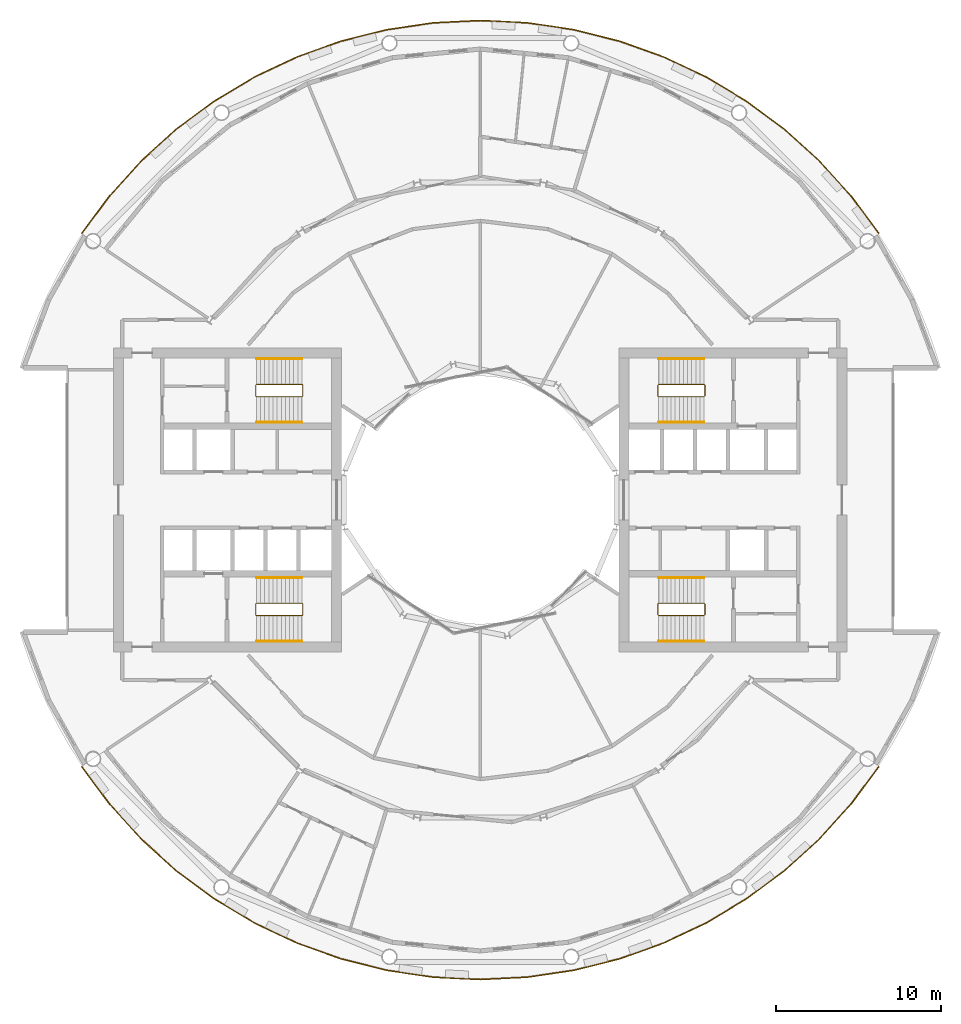
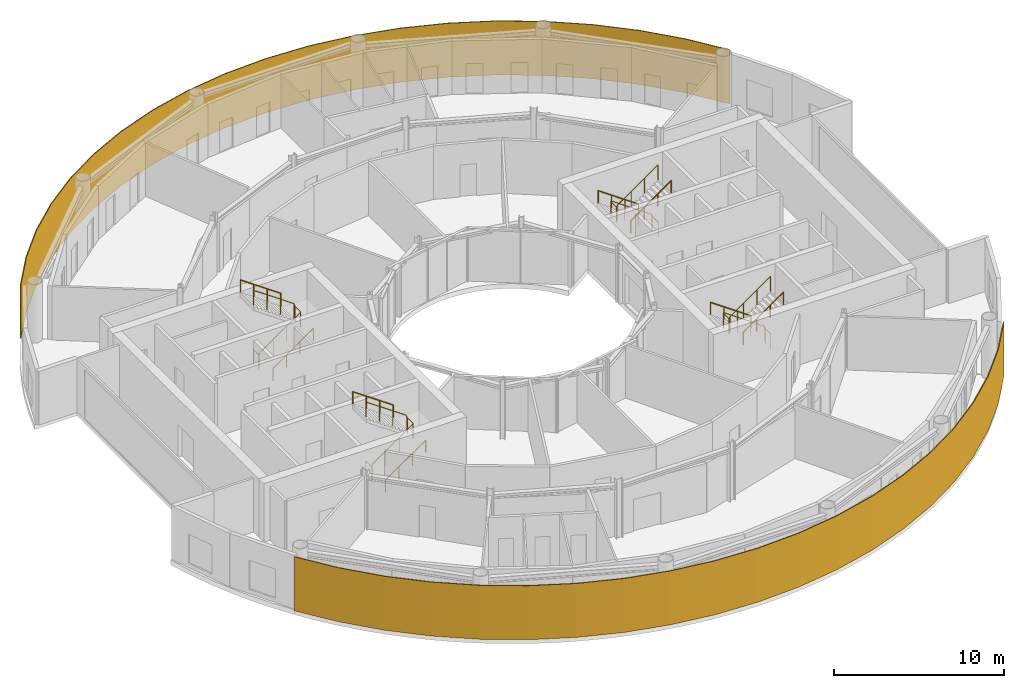
# One storey, part 21 of 21: 14 railings.
"""IFC4 building model written with IfcOpenShell, lengths in metres."""

from ifc_helpers import new_model, si_unit, direction, frame, origin, origin_2d, place, context, subcontext, project, spatial, polyline, circle, outline, extrude, material, layer, layer_set, type_object, element, save


model = new_model("IFC4")

# Units and contexts
model_context = context("Model", 3, precision=1e-05, world=origin(), true_north=direction((0.0, 1.0)))
body_context = subcontext(model_context, "Body", "Model", "MODEL_VIEW")
ifc_project = project(units=[si_unit("LENGTHUNIT", "METRE"), si_unit("AREAUNIT", "SQUARE_METRE"), si_unit("VOLUMEUNIT", "CUBIC_METRE"), si_unit("PLANEANGLEUNIT", "RADIAN"), si_unit("MASSUNIT", "GRAM", prefix="KILO")], contexts=[model_context])

# Site, building, storey
site_placement = place(None, origin())
site = spatial("IfcSite", under=ifc_project, at=site_placement, CompositionType="ELEMENT")
building_placement = place(site_placement, origin())
building = spatial("IfcBuilding", under=site, at=building_placement, Name="Maasbend Ring Residences", CompositionType="ELEMENT")
storey_placement = place(building_placement, frame((0.0, 0.0, 107.449951171875)))
storey = spatial("IfcBuildingStorey", under=building, at=storey_placement, Name="L30", CompositionType="ELEMENT", Elevation=107.449951171875)

# Railings
ifc_material_1 = material(Name="Pale anodised perforated aluminium", Category="aluminium")
ifc_layer = layer(ifc_material_1, 0.06005859375)
ifc_layer_set = layer_set([ifc_layer], Name="SCREEN-P")
railing_type_1 = type_object("IfcRailingType", Name="SCREEN-P", PredefinedType="GUARDRAIL", material=ifc_layer_set)
railing_1_placement = place(storey_placement, frame((0.0, 0.0, -0.030029296875)))
element("IfcRailing", 1, at=railing_1_placement, inside=storey, type_object=railing_type_1, Name="Perforated screen guard 1", PredefinedType="GUARDRAIL", context=body_context, shape_type="SweptSolid", body=[
    extrude(outline(polyline([(24.113037109375, 16.112060546875), (22.4169921875, 18.39697265625), (20.506103515625, 20.506103515625), (18.39697265625, 22.4169921875), (16.112060546875, 24.113037109375), (13.6708984375, 25.575927734375), (11.097900390625, 26.79296875), (8.41796875, 27.7509765625), (5.657958984375, 28.443115234375), (2.842041015625, 28.860107421875), (0.0, 29.0), (-2.842041015625, 28.860107421875), (-5.657958984375, 28.443115234375), (-8.41796875, 27.7509765625), (-11.097900390625, 26.79296875), (-13.6708984375, 25.575927734375), (-16.112060546875, 24.113037109375), (-18.39697265625, 22.4169921875), (-20.506103515625, 20.506103515625), (-22.4169921875, 18.39697265625), (-24.113037109375, 16.112060546875), (-24.1630859375, 16.14501953125), (-22.464111328125, 18.43505859375), (-20.549072265625, 20.549072265625), (-18.43505859375, 22.464111328125), (-16.14501953125, 24.1630859375), (-13.698974609375, 25.62890625), (-11.12109375, 26.847900390625), (-8.43603515625, 27.80908203125), (-5.6689453125, 28.501953125), (-2.847900390625, 28.919921875), (0.0, 29.06005859375), (2.847900390625, 28.919921875), (5.6689453125, 28.501953125), (8.43603515625, 27.80908203125), (11.12109375, 26.847900390625), (13.698974609375, 25.62890625), (16.14501953125, 24.1630859375), (18.43505859375, 22.464111328125), (20.549072265625, 20.549072265625), (22.464111328125, 18.43505859375), (24.1630859375, 16.14501953125), (24.113037109375, 16.112060546875)])), origin(), (0.0, 0.0, 1.0), 3.880126953125),
])
railing_2_placement = place(storey_placement, frame((0.0, 0.0, -0.030029296875)))
element("IfcRailing", 2, at=railing_2_placement, inside=storey, type_object=railing_type_1, Name="Perforated screen guard 1", PredefinedType="GUARDRAIL", context=body_context, shape_type="SweptSolid", body=[
    extrude(outline(polyline([(-24.113037109375, -16.112060546875), (-22.4169921875, -18.39697265625), (-20.506103515625, -20.506103515625), (-18.39697265625, -22.4169921875), (-16.112060546875, -24.113037109375), (-13.6708984375, -25.575927734375), (-11.097900390625, -26.79296875), (-8.41796875, -27.7509765625), (-5.657958984375, -28.443115234375), (-2.842041015625, -28.860107421875), (0.0, -29.0), (2.842041015625, -28.860107421875), (5.657958984375, -28.443115234375), (8.41796875, -27.7509765625), (11.097900390625, -26.79296875), (13.6708984375, -25.575927734375), (16.112060546875, -24.113037109375), (18.39697265625, -22.4169921875), (20.506103515625, -20.506103515625), (22.4169921875, -18.39697265625), (24.113037109375, -16.112060546875), (24.1630859375, -16.14501953125), (22.464111328125, -18.43505859375), (20.549072265625, -20.549072265625), (18.43505859375, -22.464111328125), (16.14501953125, -24.1630859375), (13.698974609375, -25.62890625), (11.12109375, -26.847900390625), (8.43603515625, -27.80908203125), (5.6689453125, -28.501953125), (2.847900390625, -28.919921875), (0.0, -29.06005859375), (-2.847900390625, -28.919921875), (-5.6689453125, -28.501953125), (-8.43603515625, -27.80908203125), (-11.12109375, -26.847900390625), (-13.698974609375, -25.62890625), (-16.14501953125, -24.1630859375), (-18.43505859375, -22.464111328125), (-20.549072265625, -20.549072265625), (-22.464111328125, -18.43505859375), (-24.1630859375, -16.14501953125), (-24.113037109375, -16.112060546875)])), origin(), (0.0, 0.0, 1.0), 3.880126953125),
])
ifc_material_2 = material(Name="Stainless steel 316", Category="steel")
railing_type_2 = type_object("IfcRailingType", Name="STAIR GUARD 1100", PredefinedType="GUARDRAIL", material=ifc_material_2)
railing_3_placement = place(storey_placement, frame((13.60009765625, 6.300048828125, 0.0)))
element("IfcRailing", 3, at=railing_3_placement, inside=storey, type_object=railing_type_2, Name="L30 ST-E1 stair guard 1", PredefinedType="GUARDRAIL", context=body_context, shape_type="SweptSolid", body=[
    extrude(circle(Radius=0.02392578125, at=origin_2d()), frame((0.0, 0.0, 1.076171875), z_axis=(0.0, 1.0, 0.0), x_axis=(-1.0, 0.0, 0.0)), (0.0, 0.0, 1.0), 0.64990234375),
    extrude(circle(Radius=0.02392578125, at=origin_2d()), frame((0.0, 0.64990234375, 1.076171875), z_axis=(-0.265065253269, 0.265065253269, 0.927081885822), x_axis=(-0.707106781187, -0.707106781187, 0.0)), (0.0, 0.0, 1.0), 0.188720703125),
    extrude(circle(Radius=0.02392578125, at=origin_2d()), frame((-0.050048828125, 0.699951171875, 1.2509765625), z_axis=(-0.819225086817, 0.0, 0.573472106672), x_axis=(0.0, -1.0, 0.0)), (0.0, 0.0, 1.0), 3.35693359375),
    extrude(circle(Radius=0.02392578125, at=origin_2d()), frame((-2.800048828125, 0.699951171875, 3.17626953125), z_axis=(-0.707106781187, -0.707106781187, 0.0), x_axis=(0.707106781187, -0.707106781187, 0.0)), (0.0, 0.0, 1.0), 0.07080078125),
    extrude(circle(Radius=0.02392578125, at=origin_2d()), frame((-2.85009765625, 0.64990234375, 3.17626953125), z_axis=(0.0, -1.0, 0.0), x_axis=(1.0, 0.0, 0.0)), (0.0, 0.0, 1.0), 0.64990234375),
    extrude(circle(Radius=0.02392578125, at=origin_2d()), frame((-2.85009765625, 0.0, 3.17626953125), z_axis=(0.265065253269, -0.265065253269, 0.927081885822), x_axis=(0.707106781187, 0.707106781187, 0.0)), (0.0, 0.0, 1.0), 0.188720703125),
    extrude(circle(Radius=0.02392578125, at=origin_2d()), frame((-2.800048828125, -0.050048828125, 3.35107421875), z_axis=(0.819259255306, 0.0, 0.573423292687), x_axis=(0.0, 1.0, 0.0)), (0.0, 0.0, 1.0), 3.356689453125),
    extrude(circle(Radius=0.02099609375, at=origin_2d()), origin(), (0.0, 0.0, 1.0), 1.052001953125),
    extrude(circle(Radius=0.02099609375, at=origin_2d()), frame((0.0, 0.64990234375, 0.0)), (0.0, 0.0, 1.0), 1.052001953125),
    extrude(circle(Radius=0.02099609375, at=origin_2d()), frame((-0.050048828125, 0.699951171875, 0.175048828125)), (0.0, 0.0, 1.0), 1.052001953125),
    extrude(circle(Radius=0.02099609375, at=origin_2d()), frame((-0.966796875, 0.699951171875, 0.816650390625)), (0.0, 0.0, 1.0), 1.052001953125),
    extrude(circle(Radius=0.02099609375, at=origin_2d()), frame((-1.88330078125, 0.699951171875, 1.45849609375)), (0.0, 0.0, 1.0), 1.052001953125),
    extrude(circle(Radius=0.02099609375, at=origin_2d()), frame((-2.800048828125, 0.699951171875, 2.10009765625)), (0.0, 0.0, 1.0), 1.052001953125),
    extrude(circle(Radius=0.02099609375, at=origin_2d()), frame((-2.85009765625, 0.64990234375, 2.10009765625)), (0.0, 0.0, 1.0), 1.052001953125),
    extrude(circle(Radius=0.02099609375, at=origin_2d()), frame((-2.85009765625, 0.0, 2.10009765625)), (0.0, 0.0, 1.0), 1.052001953125),
    extrude(circle(Radius=0.02099609375, at=origin_2d()), frame((-2.800048828125, -0.050048828125, 2.275146484375)), (0.0, 0.0, 1.0), 1.052001953125),
    extrude(circle(Radius=0.02099609375, at=origin_2d()), frame((-1.88330078125, -0.050048828125, 2.916748046875)), (0.0, 0.0, 1.0), 1.052001953125),
    extrude(circle(Radius=0.02099609375, at=origin_2d()), frame((-0.966796875, -0.050048828125, 3.558349609375)), (0.0, 0.0, 1.0), 1.052001953125),
    extrude(circle(Radius=0.02099609375, at=origin_2d()), frame((-0.050048828125, -0.050048828125, 4.199951171875)), (0.0, 0.0, 1.0), 1.052001953125),
])
railing_4_placement = place(storey_placement, frame((13.60009765625, -6.949951171875, 0.0)))
element("IfcRailing", 4, at=railing_4_placement, inside=storey, type_object=railing_type_2, Name="L30 ST-E2 stair guard 1", PredefinedType="GUARDRAIL", context=body_context, shape_type="SweptSolid", body=[
    extrude(circle(Radius=0.02392578125, at=origin_2d()), frame((0.0, 0.0, 1.076171875), z_axis=(0.0, 1.0, 0.0), x_axis=(-1.0, 0.0, 0.0)), (0.0, 0.0, 1.0), 0.64990234375),
    extrude(circle(Radius=0.02392578125, at=origin_2d()), frame((0.0, 0.64990234375, 1.076171875), z_axis=(-0.265065253269, 0.265065253269, 0.927081885822), x_axis=(-0.707106781187, -0.707106781187, 0.0)), (0.0, 0.0, 1.0), 0.188720703125),
    extrude(circle(Radius=0.02392578125, at=origin_2d()), frame((-0.050048828125, 0.699951171875, 1.2509765625), z_axis=(-0.819225086817, 0.0, 0.573472106672), x_axis=(0.0, -1.0, 0.0)), (0.0, 0.0, 1.0), 3.35693359375),
    extrude(circle(Radius=0.02392578125, at=origin_2d()), frame((-2.800048828125, 0.699951171875, 3.17626953125), z_axis=(-0.707106781187, -0.707106781187, 0.0), x_axis=(0.707106781187, -0.707106781187, 0.0)), (0.0, 0.0, 1.0), 0.07080078125),
    extrude(circle(Radius=0.02392578125, at=origin_2d()), frame((-2.85009765625, 0.64990234375, 3.17626953125), z_axis=(0.0, -1.0, 0.0), x_axis=(1.0, 0.0, 0.0)), (0.0, 0.0, 1.0), 0.64990234375),
    extrude(circle(Radius=0.02392578125, at=origin_2d()), frame((-2.85009765625, 0.0, 3.17626953125), z_axis=(0.265065253269, -0.265065253269, 0.927081885822), x_axis=(0.707106781187, 0.707106781187, 0.0)), (0.0, 0.0, 1.0), 0.188720703125),
    extrude(circle(Radius=0.02392578125, at=origin_2d()), frame((-2.800048828125, -0.050048828125, 3.35107421875), z_axis=(0.819259255306, 0.0, 0.573423292687), x_axis=(0.0, 1.0, 0.0)), (0.0, 0.0, 1.0), 3.356689453125),
    extrude(circle(Radius=0.02099609375, at=origin_2d()), origin(), (0.0, 0.0, 1.0), 1.052001953125),
    extrude(circle(Radius=0.02099609375, at=origin_2d()), frame((0.0, 0.64990234375, 0.0)), (0.0, 0.0, 1.0), 1.052001953125),
    extrude(circle(Radius=0.02099609375, at=origin_2d()), frame((-0.050048828125, 0.699951171875, 0.175048828125)), (0.0, 0.0, 1.0), 1.052001953125),
    extrude(circle(Radius=0.02099609375, at=origin_2d()), frame((-0.966796875, 0.699951171875, 0.816650390625)), (0.0, 0.0, 1.0), 1.052001953125),
    extrude(circle(Radius=0.02099609375, at=origin_2d()), frame((-1.88330078125, 0.699951171875, 1.45849609375)), (0.0, 0.0, 1.0), 1.052001953125),
    extrude(circle(Radius=0.02099609375, at=origin_2d()), frame((-2.800048828125, 0.699951171875, 2.10009765625)), (0.0, 0.0, 1.0), 1.052001953125),
    extrude(circle(Radius=0.02099609375, at=origin_2d()), frame((-2.85009765625, 0.64990234375, 2.10009765625)), (0.0, 0.0, 1.0), 1.052001953125),
    extrude(circle(Radius=0.02099609375, at=origin_2d()), frame((-2.85009765625, 0.0, 2.10009765625)), (0.0, 0.0, 1.0), 1.052001953125),
    extrude(circle(Radius=0.02099609375, at=origin_2d()), frame((-2.800048828125, -0.050048828125, 2.275146484375)), (0.0, 0.0, 1.0), 1.052001953125),
    extrude(circle(Radius=0.02099609375, at=origin_2d()), frame((-1.88330078125, -0.050048828125, 2.916748046875)), (0.0, 0.0, 1.0), 1.052001953125),
    extrude(circle(Radius=0.02099609375, at=origin_2d()), frame((-0.966796875, -0.050048828125, 3.558349609375)), (0.0, 0.0, 1.0), 1.052001953125),
    extrude(circle(Radius=0.02099609375, at=origin_2d()), frame((-0.050048828125, -0.050048828125, 4.199951171875)), (0.0, 0.0, 1.0), 1.052001953125),
])
railing_5_placement = place(storey_placement, frame((-13.60009765625, -6.300048828125, 0.0)))
element("IfcRailing", 5, at=railing_5_placement, inside=storey, type_object=railing_type_2, Name="L30 ST-W1 stair guard 1", PredefinedType="GUARDRAIL", context=body_context, shape_type="SweptSolid", body=[
    extrude(circle(Radius=0.02392578125, at=origin_2d()), frame((0.0, 0.0, 1.076171875), z_axis=(0.0, -1.0, 0.0), x_axis=(1.0, 0.0, 0.0)), (0.0, 0.0, 1.0), 0.64990234375),
    extrude(circle(Radius=0.02392578125, at=origin_2d()), frame((0.0, -0.64990234375, 1.076171875), z_axis=(0.265065253269, -0.265065253269, 0.927081885822), x_axis=(0.707106781187, 0.707106781187, 0.0)), (0.0, 0.0, 1.0), 0.188720703125),
    extrude(circle(Radius=0.02392578125, at=origin_2d()), frame((0.050048828125, -0.699951171875, 1.2509765625), z_axis=(0.819225086817, 0.0, 0.573472106672), x_axis=(0.0, 1.0, 0.0)), (0.0, 0.0, 1.0), 3.35693359375),
    extrude(circle(Radius=0.02392578125, at=origin_2d()), frame((2.800048828125, -0.699951171875, 3.17626953125), z_axis=(0.707106781187, 0.707106781187, 0.0), x_axis=(-0.707106781187, 0.707106781187, 0.0)), (0.0, 0.0, 1.0), 0.07080078125),
    extrude(circle(Radius=0.02392578125, at=origin_2d()), frame((2.85009765625, -0.64990234375, 3.17626953125), z_axis=(0.0, 1.0, 0.0), x_axis=(-1.0, 0.0, 0.0)), (0.0, 0.0, 1.0), 0.64990234375),
    extrude(circle(Radius=0.02392578125, at=origin_2d()), frame((2.85009765625, 0.0, 3.17626953125), z_axis=(-0.265065253269, 0.265065253269, 0.927081885822), x_axis=(-0.707106781187, -0.707106781187, 0.0)), (0.0, 0.0, 1.0), 0.188720703125),
    extrude(circle(Radius=0.02392578125, at=origin_2d()), frame((2.800048828125, 0.050048828125, 3.35107421875), z_axis=(-0.819259255306, 0.0, 0.573423292687), x_axis=(0.0, -1.0, 0.0)), (0.0, 0.0, 1.0), 3.356689453125),
    extrude(circle(Radius=0.02099609375, at=origin_2d()), origin(), (0.0, 0.0, 1.0), 1.052001953125),
    extrude(circle(Radius=0.02099609375, at=origin_2d()), frame((0.0, -0.64990234375, 0.0)), (0.0, 0.0, 1.0), 1.052001953125),
    extrude(circle(Radius=0.02099609375, at=origin_2d()), frame((0.050048828125, -0.699951171875, 0.175048828125)), (0.0, 0.0, 1.0), 1.052001953125),
    extrude(circle(Radius=0.02099609375, at=origin_2d()), frame((0.966796875, -0.699951171875, 0.816650390625)), (0.0, 0.0, 1.0), 1.052001953125),
    extrude(circle(Radius=0.02099609375, at=origin_2d()), frame((1.88330078125, -0.699951171875, 1.45849609375)), (0.0, 0.0, 1.0), 1.052001953125),
    extrude(circle(Radius=0.02099609375, at=origin_2d()), frame((2.800048828125, -0.699951171875, 2.10009765625)), (0.0, 0.0, 1.0), 1.052001953125),
    extrude(circle(Radius=0.02099609375, at=origin_2d()), frame((2.85009765625, -0.64990234375, 2.10009765625)), (0.0, 0.0, 1.0), 1.052001953125),
    extrude(circle(Radius=0.02099609375, at=origin_2d()), frame((2.85009765625, 0.0, 2.10009765625)), (0.0, 0.0, 1.0), 1.052001953125),
    extrude(circle(Radius=0.02099609375, at=origin_2d()), frame((2.800048828125, 0.050048828125, 2.275146484375)), (0.0, 0.0, 1.0), 1.052001953125),
    extrude(circle(Radius=0.02099609375, at=origin_2d()), frame((1.88330078125, 0.050048828125, 2.916748046875)), (0.0, 0.0, 1.0), 1.052001953125),
    extrude(circle(Radius=0.02099609375, at=origin_2d()), frame((0.966796875, 0.050048828125, 3.558349609375)), (0.0, 0.0, 1.0), 1.052001953125),
    extrude(circle(Radius=0.02099609375, at=origin_2d()), frame((0.050048828125, 0.050048828125, 4.199951171875)), (0.0, 0.0, 1.0), 1.052001953125),
])
railing_6_placement = place(storey_placement, frame((-13.60009765625, 6.949951171875, 0.0)))
element("IfcRailing", 6, at=railing_6_placement, inside=storey, type_object=railing_type_2, Name="L30 ST-W2 stair guard 1", PredefinedType="GUARDRAIL", context=body_context, shape_type="SweptSolid", body=[
    extrude(circle(Radius=0.02392578125, at=origin_2d()), frame((0.0, 0.0, 1.076171875), z_axis=(0.0, -1.0, 0.0), x_axis=(1.0, 0.0, 0.0)), (0.0, 0.0, 1.0), 0.64990234375),
    extrude(circle(Radius=0.02392578125, at=origin_2d()), frame((0.0, -0.64990234375, 1.076171875), z_axis=(0.265065253269, -0.265065253269, 0.927081885822), x_axis=(0.707106781187, 0.707106781187, 0.0)), (0.0, 0.0, 1.0), 0.188720703125),
    extrude(circle(Radius=0.02392578125, at=origin_2d()), frame((0.050048828125, -0.699951171875, 1.2509765625), z_axis=(0.819225086817, 0.0, 0.573472106672), x_axis=(0.0, 1.0, 0.0)), (0.0, 0.0, 1.0), 3.35693359375),
    extrude(circle(Radius=0.02392578125, at=origin_2d()), frame((2.800048828125, -0.699951171875, 3.17626953125), z_axis=(0.707106781187, 0.707106781187, 0.0), x_axis=(-0.707106781187, 0.707106781187, 0.0)), (0.0, 0.0, 1.0), 0.07080078125),
    extrude(circle(Radius=0.02392578125, at=origin_2d()), frame((2.85009765625, -0.64990234375, 3.17626953125), z_axis=(0.0, 1.0, 0.0), x_axis=(-1.0, 0.0, 0.0)), (0.0, 0.0, 1.0), 0.64990234375),
    extrude(circle(Radius=0.02392578125, at=origin_2d()), frame((2.85009765625, 0.0, 3.17626953125), z_axis=(-0.265065253269, 0.265065253269, 0.927081885822), x_axis=(-0.707106781187, -0.707106781187, 0.0)), (0.0, 0.0, 1.0), 0.188720703125),
    extrude(circle(Radius=0.02392578125, at=origin_2d()), frame((2.800048828125, 0.050048828125, 3.35107421875), z_axis=(-0.819259255306, 0.0, 0.573423292687), x_axis=(0.0, -1.0, 0.0)), (0.0, 0.0, 1.0), 3.356689453125),
    extrude(circle(Radius=0.02099609375, at=origin_2d()), origin(), (0.0, 0.0, 1.0), 1.052001953125),
    extrude(circle(Radius=0.02099609375, at=origin_2d()), frame((0.0, -0.64990234375, 0.0)), (0.0, 0.0, 1.0), 1.052001953125),
    extrude(circle(Radius=0.02099609375, at=origin_2d()), frame((0.050048828125, -0.699951171875, 0.175048828125)), (0.0, 0.0, 1.0), 1.052001953125),
    extrude(circle(Radius=0.02099609375, at=origin_2d()), frame((0.966796875, -0.699951171875, 0.816650390625)), (0.0, 0.0, 1.0), 1.052001953125),
    extrude(circle(Radius=0.02099609375, at=origin_2d()), frame((1.88330078125, -0.699951171875, 1.45849609375)), (0.0, 0.0, 1.0), 1.052001953125),
    extrude(circle(Radius=0.02099609375, at=origin_2d()), frame((2.800048828125, -0.699951171875, 2.10009765625)), (0.0, 0.0, 1.0), 1.052001953125),
    extrude(circle(Radius=0.02099609375, at=origin_2d()), frame((2.85009765625, -0.64990234375, 2.10009765625)), (0.0, 0.0, 1.0), 1.052001953125),
    extrude(circle(Radius=0.02099609375, at=origin_2d()), frame((2.85009765625, 0.0, 2.10009765625)), (0.0, 0.0, 1.0), 1.052001953125),
    extrude(circle(Radius=0.02099609375, at=origin_2d()), frame((2.800048828125, 0.050048828125, 2.275146484375)), (0.0, 0.0, 1.0), 1.052001953125),
    extrude(circle(Radius=0.02099609375, at=origin_2d()), frame((1.88330078125, 0.050048828125, 2.916748046875)), (0.0, 0.0, 1.0), 1.052001953125),
    extrude(circle(Radius=0.02099609375, at=origin_2d()), frame((0.966796875, 0.050048828125, 3.558349609375)), (0.0, 0.0, 1.0), 1.052001953125),
    extrude(circle(Radius=0.02099609375, at=origin_2d()), frame((0.050048828125, 0.050048828125, 4.199951171875)), (0.0, 0.0, 1.0), 1.052001953125),
])
ifc_material_3 = material(Name="Stainless steel 316", Category="steel")
railing_type_3 = type_object("IfcRailingType", Name="STAIR HANDRAIL 900", PredefinedType="HANDRAIL", material=ifc_material_3)
railing_7_placement = place(storey_placement, frame((13.550048828125, 8.550048828125, 0.175048828125)))
element("IfcRailing", 7, at=railing_7_placement, inside=storey, type_object=railing_type_3, Name="L30 ST-E1 stair handrail 1", PredefinedType="HANDRAIL", context=body_context, shape_type="SweptSolid", body=[
    extrude(circle(Radius=0.02392578125, at=origin_2d()), frame((0.0, 0.0, 0.8759765625), z_axis=(-0.819225086817, 0.0, 0.573472106672), x_axis=(0.0, -1.0, 0.0)), (0.0, 0.0, 1.0), 3.35693359375),
    extrude(circle(Radius=0.02099609375, at=origin_2d()), origin(), (0.0, 0.0, 1.0), 0.851806640625),
    extrude(circle(Radius=0.02099609375, at=origin_2d()), frame((-0.916748046875, 0.0, 0.6416015625)), (0.0, 0.0, 1.0), 0.851806640625),
    extrude(circle(Radius=0.02099609375, at=origin_2d()), frame((-1.833251953125, 0.0, 1.283447265625)), (0.0, 0.0, 1.0), 0.851806640625),
    extrude(circle(Radius=0.02099609375, at=origin_2d()), frame((-2.75, 0.0, 1.925048828125)), (0.0, 0.0, 1.0), 0.851806640625),
])
railing_8_placement = place(storey_placement, frame((10.800048828125, 4.699951171875, 2.275146484375)))
element("IfcRailing", 8, at=railing_8_placement, inside=storey, type_object=railing_type_3, Name="L30 ST-E1 stair handrail 2", PredefinedType="HANDRAIL", context=body_context, shape_type="SweptSolid", body=[
    extrude(circle(Radius=0.02392578125, at=origin_2d()), frame((0.0, 0.0, 0.8759765625), z_axis=(0.819259255306, 0.0, 0.573423292687), x_axis=(0.0, 1.0, 0.0)), (0.0, 0.0, 1.0), 3.356689453125),
    extrude(circle(Radius=0.02099609375, at=origin_2d()), origin(), (0.0, 0.0, 1.0), 0.851806640625),
    extrude(circle(Radius=0.02099609375, at=origin_2d()), frame((0.916748046875, 0.0, 0.6416015625)), (0.0, 0.0, 1.0), 0.851806640625),
    extrude(circle(Radius=0.02099609375, at=origin_2d()), frame((1.833251953125, 0.0, 1.283203125)), (0.0, 0.0, 1.0), 0.851806640625),
    extrude(circle(Radius=0.02099609375, at=origin_2d()), frame((2.75, 0.0, 1.9248046875)), (0.0, 0.0, 1.0), 0.851806640625),
])
railing_9_placement = place(storey_placement, frame((13.550048828125, -4.699951171875, 0.175048828125)))
element("IfcRailing", 9, at=railing_9_placement, inside=storey, type_object=railing_type_3, Name="L30 ST-E2 stair handrail 1", PredefinedType="HANDRAIL", context=body_context, shape_type="SweptSolid", body=[
    extrude(circle(Radius=0.02392578125, at=origin_2d()), frame((0.0, 0.0, 0.8759765625), z_axis=(-0.819225086817, 0.0, 0.573472106672), x_axis=(0.0, -1.0, 0.0)), (0.0, 0.0, 1.0), 3.35693359375),
    extrude(circle(Radius=0.02099609375, at=origin_2d()), origin(), (0.0, 0.0, 1.0), 0.851806640625),
    extrude(circle(Radius=0.02099609375, at=origin_2d()), frame((-0.916748046875, 0.0, 0.6416015625)), (0.0, 0.0, 1.0), 0.851806640625),
    extrude(circle(Radius=0.02099609375, at=origin_2d()), frame((-1.833251953125, 0.0, 1.283447265625)), (0.0, 0.0, 1.0), 0.851806640625),
    extrude(circle(Radius=0.02099609375, at=origin_2d()), frame((-2.75, 0.0, 1.925048828125)), (0.0, 0.0, 1.0), 0.851806640625),
])
railing_10_placement = place(storey_placement, frame((10.800048828125, -8.550048828125, 2.275146484375)))
element("IfcRailing", 10, at=railing_10_placement, inside=storey, type_object=railing_type_3, Name="L30 ST-E2 stair handrail 2", PredefinedType="HANDRAIL", context=body_context, shape_type="SweptSolid", body=[
    extrude(circle(Radius=0.02392578125, at=origin_2d()), frame((0.0, 0.0, 0.8759765625), z_axis=(0.819259255306, 0.0, 0.573423292687), x_axis=(0.0, 1.0, 0.0)), (0.0, 0.0, 1.0), 3.356689453125),
    extrude(circle(Radius=0.02099609375, at=origin_2d()), origin(), (0.0, 0.0, 1.0), 0.851806640625),
    extrude(circle(Radius=0.02099609375, at=origin_2d()), frame((0.916748046875, 0.0, 0.6416015625)), (0.0, 0.0, 1.0), 0.851806640625),
    extrude(circle(Radius=0.02099609375, at=origin_2d()), frame((1.833251953125, 0.0, 1.283203125)), (0.0, 0.0, 1.0), 0.851806640625),
    extrude(circle(Radius=0.02099609375, at=origin_2d()), frame((2.75, 0.0, 1.9248046875)), (0.0, 0.0, 1.0), 0.851806640625),
])
railing_11_placement = place(storey_placement, frame((-13.550048828125, -8.550048828125, 0.175048828125)))
element("IfcRailing", 11, at=railing_11_placement, inside=storey, type_object=railing_type_3, Name="L30 ST-W1 stair handrail 1", PredefinedType="HANDRAIL", context=body_context, shape_type="SweptSolid", body=[
    extrude(circle(Radius=0.02392578125, at=origin_2d()), frame((0.0, 0.0, 0.8759765625), z_axis=(0.819225086817, 0.0, 0.573472106672), x_axis=(0.0, 1.0, 0.0)), (0.0, 0.0, 1.0), 3.35693359375),
    extrude(circle(Radius=0.02099609375, at=origin_2d()), origin(), (0.0, 0.0, 1.0), 0.851806640625),
    extrude(circle(Radius=0.02099609375, at=origin_2d()), frame((0.916748046875, 0.0, 0.6416015625)), (0.0, 0.0, 1.0), 0.851806640625),
    extrude(circle(Radius=0.02099609375, at=origin_2d()), frame((1.833251953125, 0.0, 1.283447265625)), (0.0, 0.0, 1.0), 0.851806640625),
    extrude(circle(Radius=0.02099609375, at=origin_2d()), frame((2.75, 0.0, 1.925048828125)), (0.0, 0.0, 1.0), 0.851806640625),
])
railing_12_placement = place(storey_placement, frame((-10.800048828125, -4.699951171875, 2.275146484375)))
element("IfcRailing", 12, at=railing_12_placement, inside=storey, type_object=railing_type_3, Name="L30 ST-W1 stair handrail 2", PredefinedType="HANDRAIL", context=body_context, shape_type="SweptSolid", body=[
    extrude(circle(Radius=0.02392578125, at=origin_2d()), frame((0.0, 0.0, 0.8759765625), z_axis=(-0.819259255306, 0.0, 0.573423292687), x_axis=(0.0, -1.0, 0.0)), (0.0, 0.0, 1.0), 3.356689453125),
    extrude(circle(Radius=0.02099609375, at=origin_2d()), origin(), (0.0, 0.0, 1.0), 0.851806640625),
    extrude(circle(Radius=0.02099609375, at=origin_2d()), frame((-0.916748046875, 0.0, 0.6416015625)), (0.0, 0.0, 1.0), 0.851806640625),
    extrude(circle(Radius=0.02099609375, at=origin_2d()), frame((-1.833251953125, 0.0, 1.283203125)), (0.0, 0.0, 1.0), 0.851806640625),
    extrude(circle(Radius=0.02099609375, at=origin_2d()), frame((-2.75, 0.0, 1.9248046875)), (0.0, 0.0, 1.0), 0.851806640625),
])
railing_13_placement = place(storey_placement, frame((-13.550048828125, 4.699951171875, 0.175048828125)))
element("IfcRailing", 13, at=railing_13_placement, inside=storey, type_object=railing_type_3, Name="L30 ST-W2 stair handrail 1", PredefinedType="HANDRAIL", context=body_context, shape_type="SweptSolid", body=[
    extrude(circle(Radius=0.02392578125, at=origin_2d()), frame((0.0, 0.0, 0.8759765625), z_axis=(0.819225086817, 0.0, 0.573472106672), x_axis=(0.0, 1.0, 0.0)), (0.0, 0.0, 1.0), 3.35693359375),
    extrude(circle(Radius=0.02099609375, at=origin_2d()), origin(), (0.0, 0.0, 1.0), 0.851806640625),
    extrude(circle(Radius=0.02099609375, at=origin_2d()), frame((0.916748046875, 0.0, 0.6416015625)), (0.0, 0.0, 1.0), 0.851806640625),
    extrude(circle(Radius=0.02099609375, at=origin_2d()), frame((1.833251953125, 0.0, 1.283447265625)), (0.0, 0.0, 1.0), 0.851806640625),
    extrude(circle(Radius=0.02099609375, at=origin_2d()), frame((2.75, 0.0, 1.925048828125)), (0.0, 0.0, 1.0), 0.851806640625),
])
railing_14_placement = place(storey_placement, frame((-10.800048828125, 8.550048828125, 2.275146484375)))
element("IfcRailing", 14, at=railing_14_placement, inside=storey, type_object=railing_type_3, Name="L30 ST-W2 stair handrail 2", PredefinedType="HANDRAIL", context=body_context, shape_type="SweptSolid", body=[
    extrude(circle(Radius=0.02392578125, at=origin_2d()), frame((0.0, 0.0, 0.8759765625), z_axis=(-0.819259255306, 0.0, 0.573423292687), x_axis=(0.0, -1.0, 0.0)), (0.0, 0.0, 1.0), 3.356689453125),
    extrude(circle(Radius=0.02099609375, at=origin_2d()), origin(), (0.0, 0.0, 1.0), 0.851806640625),
    extrude(circle(Radius=0.02099609375, at=origin_2d()), frame((-0.916748046875, 0.0, 0.6416015625)), (0.0, 0.0, 1.0), 0.851806640625),
    extrude(circle(Radius=0.02099609375, at=origin_2d()), frame((-1.833251953125, 0.0, 1.283203125)), (0.0, 0.0, 1.0), 0.851806640625),
    extrude(circle(Radius=0.02099609375, at=origin_2d()), frame((-2.75, 0.0, 1.9248046875)), (0.0, 0.0, 1.0), 0.851806640625),
])

save(model, "model.ifc")
